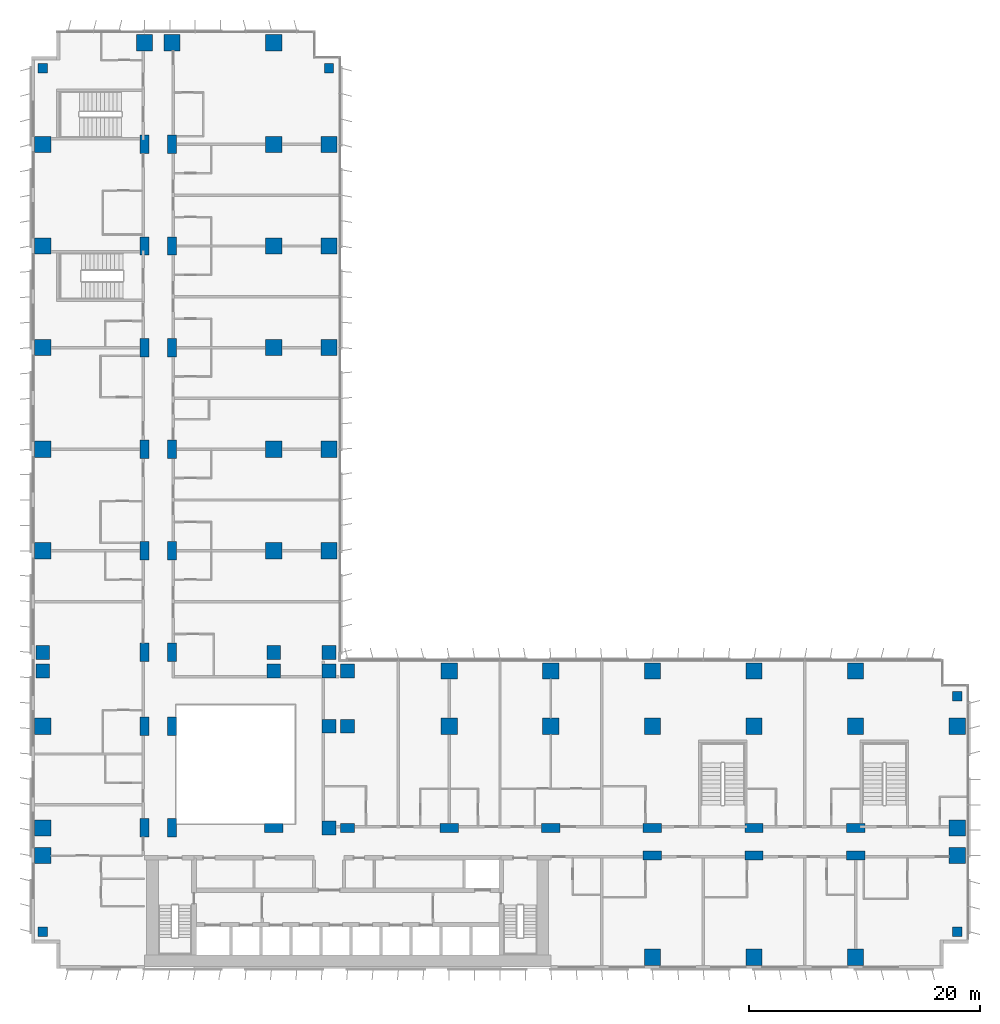
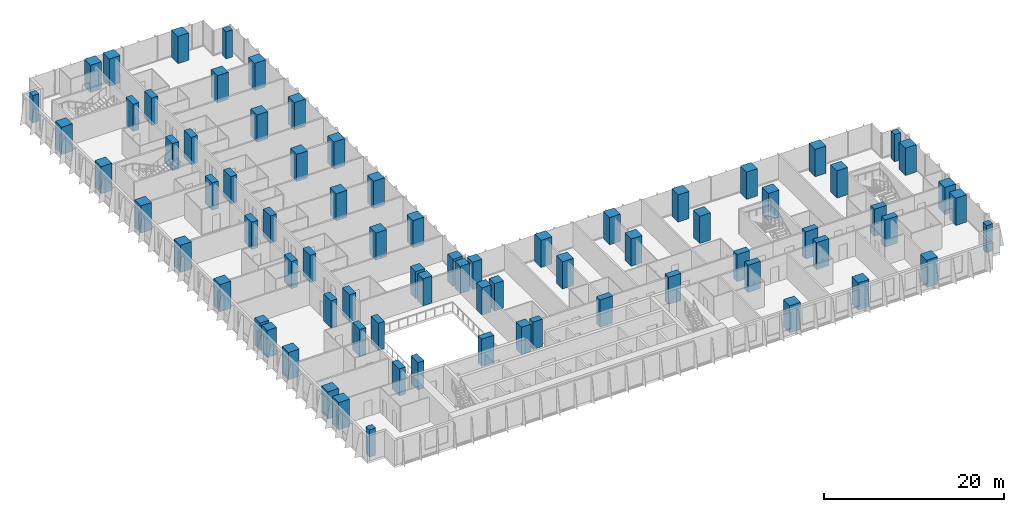
# One storey, part 1 of 24: 78 columns.
"""IFC4 building model written with IfcOpenShell, lengths in metres."""

from ifc_helpers import new_model, si_unit, direction, frame, origin, origin_2d, place, context, subcontext, project, spatial, rectangle, extrude, material, material_profile, profile_set, type_object, element, save


model = new_model("IFC4")

# Units and contexts
model_context = context("Model", 3, precision=1e-05, world=origin(), true_north=direction((0.0, 1.0)))
body_context = subcontext(model_context, "Body", "Model", "MODEL_VIEW")
ifc_project = project(units=[si_unit("LENGTHUNIT", "METRE"), si_unit("AREAUNIT", "SQUARE_METRE"), si_unit("VOLUMEUNIT", "CUBIC_METRE"), si_unit("PLANEANGLEUNIT", "RADIAN"), si_unit("MASSUNIT", "GRAM", prefix="KILO")], contexts=[model_context])

# Site, building, storey
site_placement = place(None, origin())
site = spatial("IfcSite", under=ifc_project, at=site_placement, CompositionType="ELEMENT")
building_placement = place(site_placement, origin())
building = spatial("IfcBuilding", under=site, at=building_placement, Name="Kemantara Hotel Tower", CompositionType="ELEMENT")
storey_placement = place(building_placement, frame((0.0, 0.0, 59.89990234375)))
storey = spatial("IfcBuildingStorey", under=building, at=storey_placement, Name="L13", CompositionType="ELEMENT", Elevation=59.89990234375)

# Columns
ifc_material = material(Name="Concrete fc 70 MPa", Category="concrete")
ifc_material_profile_1 = material_profile(ifc_material, rectangle(XDim=1.199951171875, YDim=1.199951171875, at=origin_2d()), Name="RC 1200X1200")
ifc_profile_set_1 = profile_set([ifc_material_profile_1], Name="Concrete fc 70 MPa")
column_type_1 = type_object("IfcColumnType", Name="RC COLUMN 1200X1200 FC70", PredefinedType="COLUMN", material=ifc_profile_set_1)
for number, where, z_axis, x_axis, name in (
    (1, (1.0, 25.800048828125, 0.0), (0.0, 0.0, 1.0), (1.0, 0.0, 0.0), "COLUMN 1/CA L13"),
    (2, (1.0, 27.39990234375, 0.0), (0.0, 0.0, 1.0), (1.0, 0.0, 0.0), "COLUMN 1/D L13"),
    (3, (21.0, 25.800048828125, 0.0), (0.0, 0.0, 1.0), (1.0, 0.0, 0.0), "COLUMN 3/CA L13"),
    (4, (21.0, 27.39990234375, 0.0), (0.0, 0.0, 1.0), (1.0, 0.0, 0.0), "COLUMN 3/D L13"),
    (5, (25.800048828125, 12.199951171875, 0.0), (0.0, 0.0, 1.0), (1.0, 0.0, 0.0), "COLUMN 3A/BA L13"),
    (6, (25.800048828125, 21.0, 0.0), (0.0, 0.0, 1.0), (1.0, 0.0, 0.0), "COLUMN 3A/C L13"),
    (7, (25.800048828125, 25.800048828125, 0.0), (0.0, 0.0, 1.0), (1.0, 0.0, 0.0), "COLUMN 3A/CA L13"),
    (8, (25.800048828125, 27.39990234375, 0.0), (0.0, 0.0, 1.0), (1.0, 0.0, 0.0), "COLUMN 3A/D L13"),
    (9, (27.39990234375, 21.0, 0.0), (0.0, 0.0, 1.0), (1.0, 0.0, 0.0), "COLUMN 4/C L13"),
    (10, (27.39990234375, 25.800048828125, 0.0), (0.0, 0.0, 1.0), (1.0, 0.0, 0.0), "COLUMN 4/CA L13"),
):
    element("IfcColumn", number, at=place(storey_placement, frame(where, z_axis=z_axis, x_axis=x_axis)), inside=storey, type_object=column_type_1, Name=name, PredefinedType="COLUMN", context=body_context, shape_type="SweptSolid", body=[
        extrude(rectangle(XDim=1.199951171875, YDim=1.199951171875, at=origin_2d()), origin(), (0.0, 0.0, 1.0), 3.7001953125),
    ])
ifc_material_profile_2 = material_profile(ifc_material, rectangle(XDim=1.199951171875, YDim=0.800048828125, at=origin_2d()), Name="RC 1200X800")
ifc_profile_set_2 = profile_set([ifc_material_profile_2], Name="Concrete fc 70 MPa")
column_type_2 = type_object("IfcColumnType", Name="RC COLUMN 1200X800 FC70", PredefinedType="COLUMN", material=ifc_profile_set_2)
column_placement = place(storey_placement, frame((27.39990234375, 12.199951171875, 0.0), z_axis=(0.0, 0.0, 1.0), x_axis=(1.0, 0.0, 0.0)))
element("IfcColumn", 11, at=column_placement, inside=storey, type_object=column_type_2, Name="COLUMN 4/BA L13", PredefinedType="COLUMN", context=body_context, shape_type="SweptSolid", body=[
    extrude(rectangle(XDim=1.199951171875, YDim=0.800048828125, at=origin_2d()), origin(), (0.0, 0.0, 1.0), 3.7001953125),
])
ifc_material_profile_3 = material_profile(ifc_material, rectangle(XDim=1.39990234375, YDim=1.39990234375, at=origin_2d()), Name="RC 1400X1400")
ifc_profile_set_3 = profile_set([ifc_material_profile_3], Name="Concrete fc 70 MPa")
column_type_3 = type_object("IfcColumnType", Name="RC COLUMN 1400X1400 FC70", PredefinedType="COLUMN", material=ifc_profile_set_3)
for number, where, z_axis, x_axis, name in (
    (12, (1.0, 9.800048828125, 0.0), (0.0, 0.0, 1.0), (1.0, 0.0, 0.0), "COLUMN 1/B L13"),
    (13, (1.0, 12.199951171875, 0.0), (0.0, 0.0, 1.0), (1.0, 0.0, 0.0), "COLUMN 1/BA L13"),
    (14, (1.0, 21.0, 0.0), (0.0, 0.0, 1.0), (1.0, 0.0, 0.0), "COLUMN 1/C L13"),
    (15, (1.0, 36.199951171875, 0.0), (0.0, 0.0, 1.0), (1.0, 0.0, 0.0), "COLUMN 1/E L13"),
    (16, (1.0, 45.0, 0.0), (0.0, 0.0, 1.0), (1.0, 0.0, 0.0), "COLUMN 1/F L13"),
    (17, (1.0, 53.800048828125, 0.0), (0.0, 0.0, 1.0), (1.0, 0.0, 0.0), "COLUMN 1/G L13"),
    (18, (1.0, 62.60009765625, 0.0), (0.0, 0.0, 1.0), (1.0, 0.0, 0.0), "COLUMN 1/H L13"),
    (19, (1.0, 71.39990234375, 0.0), (0.0, 0.0, 1.0), (1.0, 0.0, 0.0), "COLUMN 1/J L13"),
    (20, (9.800048828125, 80.199951171875, 0.0), (0.0, 0.0, 1.0), (1.0, 0.0, 0.0), "COLUMN 2/K L13"),
    (21, (12.199951171875, 80.199951171875, 0.0), (0.0, 0.0, 1.0), (1.0, 0.0, 0.0), "COLUMN 2A/K L13"),
    (22, (21.0, 36.199951171875, 0.0), (0.0, 0.0, 1.0), (1.0, 0.0, 0.0), "COLUMN 3/E L13"),
    (23, (21.0, 45.0, 0.0), (0.0, 0.0, 1.0), (1.0, 0.0, 0.0), "COLUMN 3/F L13"),
    (24, (21.0, 53.800048828125, 0.0), (0.0, 0.0, 1.0), (1.0, 0.0, 0.0), "COLUMN 3/G L13"),
    (25, (21.0, 62.60009765625, 0.0), (0.0, 0.0, 1.0), (1.0, 0.0, 0.0), "COLUMN 3/H L13"),
    (26, (21.0, 71.39990234375, 0.0), (0.0, 0.0, 1.0), (1.0, 0.0, 0.0), "COLUMN 3/J L13"),
    (27, (21.0, 80.199951171875, 0.0), (0.0, 0.0, 1.0), (1.0, 0.0, 0.0), "COLUMN 3/K L13"),
    (28, (25.800048828125, 36.199951171875, 0.0), (0.0, 0.0, 1.0), (1.0, 0.0, 0.0), "COLUMN 3A/E L13"),
    (29, (25.800048828125, 45.0, 0.0), (0.0, 0.0, 1.0), (1.0, 0.0, 0.0), "COLUMN 3A/F L13"),
    (30, (25.800048828125, 53.800048828125, 0.0), (0.0, 0.0, 1.0), (1.0, 0.0, 0.0), "COLUMN 3A/G L13"),
    (31, (25.800048828125, 62.60009765625, 0.0), (0.0, 0.0, 1.0), (1.0, 0.0, 0.0), "COLUMN 3A/H L13"),
    (32, (25.800048828125, 71.39990234375, 0.0), (0.0, 0.0, 1.0), (1.0, 0.0, 0.0), "COLUMN 3A/J L13"),
    (33, (36.199951171875, 21.0, 0.0), (0.0, 0.0, 1.0), (1.0, 0.0, 0.0), "COLUMN 5/C L13"),
    (34, (36.199951171875, 25.800048828125, 0.0), (0.0, 0.0, 1.0), (1.0, 0.0, 0.0), "COLUMN 5/CA L13"),
    (35, (45.0, 21.0, 0.0), (0.0, 0.0, 1.0), (1.0, 0.0, 0.0), "COLUMN 6/C L13"),
    (36, (45.0, 25.800048828125, 0.0), (0.0, 0.0, 1.0), (1.0, 0.0, 0.0), "COLUMN 6/CA L13"),
    (37, (53.800048828125, 1.0, 0.0), (0.0, 0.0, 1.0), (1.0, 0.0, 0.0), "COLUMN 7/A L13"),
    (38, (53.800048828125, 21.0, 0.0), (0.0, 0.0, 1.0), (1.0, 0.0, 0.0), "COLUMN 7/C L13"),
    (39, (53.800048828125, 25.800048828125, 0.0), (0.0, 0.0, 1.0), (1.0, 0.0, 0.0), "COLUMN 7/CA L13"),
    (40, (62.60009765625, 1.0, 0.0), (0.0, 0.0, 1.0), (1.0, 0.0, 0.0), "COLUMN 8/A L13"),
    (41, (62.60009765625, 21.0, 0.0), (0.0, 0.0, 1.0), (1.0, 0.0, 0.0), "COLUMN 8/C L13"),
    (42, (62.60009765625, 25.800048828125, 0.0), (0.0, 0.0, 1.0), (1.0, 0.0, 0.0), "COLUMN 8/CA L13"),
    (43, (71.39990234375, 1.0, 0.0), (0.0, 0.0, 1.0), (1.0, 0.0, 0.0), "COLUMN 9/A L13"),
    (44, (71.39990234375, 21.0, 0.0), (0.0, 0.0, 1.0), (1.0, 0.0, 0.0), "COLUMN 9/C L13"),
    (45, (71.39990234375, 25.800048828125, 0.0), (0.0, 0.0, 1.0), (1.0, 0.0, 0.0), "COLUMN 9/CA L13"),
    (46, (80.199951171875, 9.800048828125, 0.0), (0.0, 0.0, 1.0), (1.0, 0.0, 0.0), "COLUMN 10/B L13"),
    (47, (80.199951171875, 12.199951171875, 0.0), (0.0, 0.0, 1.0), (1.0, 0.0, 0.0), "COLUMN 10/BA L13"),
    (48, (80.199951171875, 21.0, 0.0), (0.0, 0.0, 1.0), (1.0, 0.0, 0.0), "COLUMN 10/C L13"),
):
    element("IfcColumn", number, at=place(storey_placement, frame(where, z_axis=z_axis, x_axis=x_axis)), inside=storey, type_object=column_type_3, Name=name, PredefinedType="COLUMN", context=body_context, shape_type="SweptSolid", body=[
        extrude(rectangle(XDim=1.39990234375, YDim=1.39990234375, at=origin_2d()), origin(), (0.0, 0.0, 1.0), 3.7001953125),
    ])
ifc_material_profile_4 = material_profile(ifc_material, rectangle(XDim=1.60009765625, YDim=0.800048828125, at=origin_2d()), Name="RC 1600X800")
ifc_profile_set_4 = profile_set([ifc_material_profile_4], Name="Concrete fc 70 MPa")
column_type_4 = type_object("IfcColumnType", Name="RC COLUMN 1600X800 FC70", PredefinedType="COLUMN", material=ifc_profile_set_4)
for number, where, z_axis, x_axis, name in (
    (49, (9.800048828125, 12.199951171875, 0.0), (0.0, 0.0, 1.0), (0.0, 1.0, 0.0), "COLUMN 2/BA L13"),
    (50, (9.800048828125, 21.0, 0.0), (0.0, 0.0, 1.0), (0.0, 1.0, 0.0), "COLUMN 2/C L13"),
    (51, (9.800048828125, 27.39990234375, 0.0), (0.0, 0.0, 1.0), (0.0, 1.0, 0.0), "COLUMN 2/D L13"),
    (52, (9.800048828125, 36.199951171875, 0.0), (0.0, 0.0, 1.0), (0.0, 1.0, 0.0), "COLUMN 2/E L13"),
    (53, (9.800048828125, 45.0, 0.0), (0.0, 0.0, 1.0), (0.0, 1.0, 0.0), "COLUMN 2/F L13"),
    (54, (9.800048828125, 53.800048828125, 0.0), (0.0, 0.0, 1.0), (0.0, 1.0, 0.0), "COLUMN 2/G L13"),
    (55, (9.800048828125, 62.60009765625, 0.0), (0.0, 0.0, 1.0), (0.0, 1.0, 0.0), "COLUMN 2/H L13"),
    (56, (9.800048828125, 71.39990234375, 0.0), (0.0, 0.0, 1.0), (0.0, 1.0, 0.0), "COLUMN 2/J L13"),
    (57, (12.199951171875, 12.199951171875, 0.0), (0.0, 0.0, 1.0), (0.0, 1.0, 0.0), "COLUMN 2A/BA L13"),
    (58, (12.199951171875, 21.0, 0.0), (0.0, 0.0, 1.0), (0.0, 1.0, 0.0), "COLUMN 2A/C L13"),
    (59, (12.199951171875, 27.39990234375, 0.0), (0.0, 0.0, 1.0), (0.0, 1.0, 0.0), "COLUMN 2A/D L13"),
    (60, (12.199951171875, 36.199951171875, 0.0), (0.0, 0.0, 1.0), (0.0, 1.0, 0.0), "COLUMN 2A/E L13"),
    (61, (12.199951171875, 45.0, 0.0), (0.0, 0.0, 1.0), (0.0, 1.0, 0.0), "COLUMN 2A/F L13"),
    (62, (12.199951171875, 53.800048828125, 0.0), (0.0, 0.0, 1.0), (0.0, 1.0, 0.0), "COLUMN 2A/G L13"),
    (63, (12.199951171875, 62.60009765625, 0.0), (0.0, 0.0, 1.0), (0.0, 1.0, 0.0), "COLUMN 2A/H L13"),
    (64, (12.199951171875, 71.39990234375, 0.0), (0.0, 0.0, 1.0), (0.0, 1.0, 0.0), "COLUMN 2A/J L13"),
    (65, (21.0, 12.199951171875, 0.0), (0.0, 0.0, 1.0), (1.0, 0.0, 0.0), "COLUMN 3/BA L13"),
    (66, (36.199951171875, 12.199951171875, 0.0), (0.0, 0.0, 1.0), (1.0, 0.0, 0.0), "COLUMN 5/BA L13"),
    (67, (45.0, 12.199951171875, 0.0), (0.0, 0.0, 1.0), (1.0, 0.0, 0.0), "COLUMN 6/BA L13"),
    (68, (53.800048828125, 9.800048828125, 0.0), (0.0, 0.0, 1.0), (1.0, 0.0, 0.0), "COLUMN 7/B L13"),
    (69, (53.800048828125, 12.199951171875, 0.0), (0.0, 0.0, 1.0), (1.0, 0.0, 0.0), "COLUMN 7/BA L13"),
    (70, (62.60009765625, 9.800048828125, 0.0), (0.0, 0.0, 1.0), (1.0, 0.0, 0.0), "COLUMN 8/B L13"),
    (71, (62.60009765625, 12.199951171875, 0.0), (0.0, 0.0, 1.0), (1.0, 0.0, 0.0), "COLUMN 8/BA L13"),
    (72, (71.39990234375, 9.800048828125, 0.0), (0.0, 0.0, 1.0), (1.0, 0.0, 0.0), "COLUMN 9/B L13"),
    (73, (71.39990234375, 12.199951171875, 0.0), (0.0, 0.0, 1.0), (1.0, 0.0, 0.0), "COLUMN 9/BA L13"),
):
    element("IfcColumn", number, at=place(storey_placement, frame(where, z_axis=z_axis, x_axis=x_axis)), inside=storey, type_object=column_type_4, Name=name, PredefinedType="COLUMN", context=body_context, shape_type="SweptSolid", body=[
        extrude(rectangle(XDim=1.60009765625, YDim=0.800048828125, at=origin_2d()), origin(), (0.0, 0.0, 1.0), 3.7001953125),
    ])
ifc_material_profile_5 = material_profile(ifc_material, rectangle(XDim=0.800048828125, YDim=0.800048828125, at=origin_2d()), Name="RC 800X800")
ifc_profile_set_5 = profile_set([ifc_material_profile_5], Name="Concrete fc 70 MPa")
column_type_5 = type_object("IfcColumnType", Name="RC COLUMN 800X800 FC70", PredefinedType="COLUMN", material=ifc_profile_set_5)
for number, where, z_axis, x_axis, name in (
    (74, (1.0, 3.199951171875, 0.0), (0.0, 0.0, 1.0), (1.0, 0.0, 0.0), "COLUMN notch corner L13"),
    (75, (1.0, 78.0, 0.0), (0.0, 0.0, 1.0), (1.0, 0.0, 0.0), "COLUMN notch corner L13"),
    (76, (25.800048828125, 78.0, 0.0), (0.0, 0.0, 1.0), (1.0, 0.0, 0.0), "COLUMN notch corner L13"),
    (77, (80.199951171875, 3.199951171875, 0.0), (0.0, 0.0, 1.0), (1.0, 0.0, 0.0), "COLUMN notch corner L13"),
    (78, (80.199951171875, 23.60009765625, 0.0), (0.0, 0.0, 1.0), (1.0, 0.0, 0.0), "COLUMN notch corner L13"),
):
    element("IfcColumn", number, at=place(storey_placement, frame(where, z_axis=z_axis, x_axis=x_axis)), inside=storey, type_object=column_type_5, Name=name, PredefinedType="COLUMN", context=body_context, shape_type="SweptSolid", body=[
        extrude(rectangle(XDim=0.800048828125, YDim=0.800048828125, at=origin_2d()), origin(), (0.0, 0.0, 1.0), 3.7001953125),
    ])

save(model, "model.ifc")
